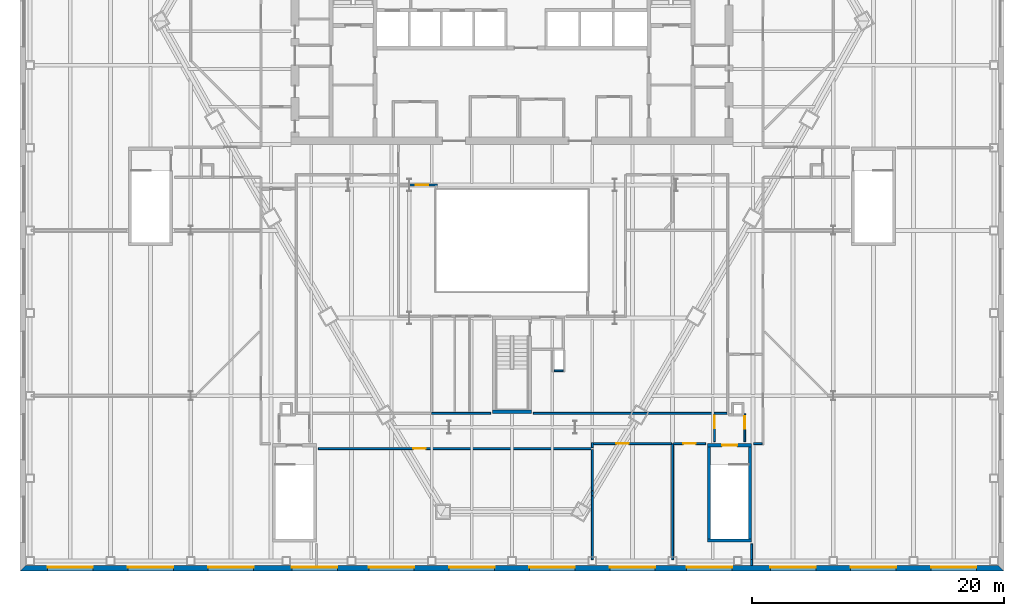
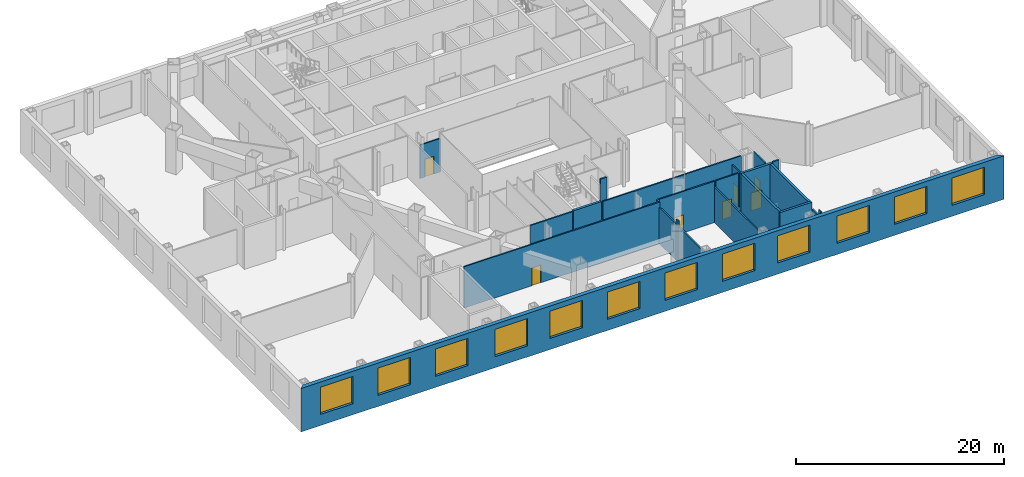
# One storey, part 9 of 17: 23 walls, 12 windows, 7 doors, 19 openings.
"""IFC4 building model written with IfcOpenShell, lengths in metres."""

from ifc_helpers import new_model, si_unit, direction, frame, frame_2d, origin, place, context, subcontext, project, spatial, polyline, rectangle, outline, extrude, material, layer, layer_set, type_object, element, fill, save


model = new_model("IFC4")

# Units and contexts
model_context = context("Model", 3, precision=1e-05, world=origin(), true_north=direction((0.0, 1.0)))
body_context = subcontext(model_context, "Body", "Model", "MODEL_VIEW")
ifc_project = project(units=[si_unit("LENGTHUNIT", "METRE"), si_unit("AREAUNIT", "SQUARE_METRE"), si_unit("VOLUMEUNIT", "CUBIC_METRE"), si_unit("PLANEANGLEUNIT", "RADIAN"), si_unit("MASSUNIT", "GRAM", prefix="KILO")], contexts=[model_context])

# Site, building, storey
site_placement = place(None, origin())
site = spatial("IfcSite", under=ifc_project, at=site_placement, CompositionType="ELEMENT")
building_placement = place(site_placement, origin())
building = spatial("IfcBuilding", under=site, at=building_placement, Name="Njiva Tower", CompositionType="ELEMENT")
storey_placement = place(building_placement, frame((0.0, 0.0, 23.7)))
storey = spatial("IfcBuildingStorey", under=building, at=storey_placement, Name="L04", CompositionType="ELEMENT", Elevation=23.7)

# Wall, opening, door
ifc_material_1 = material(Name="Gypsum board on steel studs", Category="gypsum")
ifc_layer_1 = layer(ifc_material_1, 0.15)
ifc_layer_set_1 = layer_set([ifc_layer_1], Name="Gypsum board on steel studs")
wall_type_1 = type_object("IfcWallType", Name="WT21 Compartment wall 150", PredefinedType="PARTITIONING", material=ifc_layer_set_1)
wall_1_placement = place(storey_placement, frame((-15.35, -24.1, 0.0), z_axis=(0.0, 0.0, 1.0), x_axis=(1.0, 0.0, 0.0)))
wall_1 = element("IfcWall", 1, at=wall_1_placement, inside=storey, type_object=wall_type_1, Name="Partition L04-P035", PredefinedType="PARTITIONING", context=body_context, shape_type="SweptSolid", body=[
    extrude(rectangle(XDim=21.717, YDim=0.15, at=frame_2d((10.8585, 0.0))), origin(), (0.0, 0.0, 1.0), 4.85),
])
opening_1_placement = place(wall_1_placement, frame((7.515, 0.0, 0.0)))
opening_1 = element("IfcOpeningElement", 2, at=opening_1_placement, cuts=wall_1, Name="Opening L04-D012", PredefinedType="OPENING", context=body_context, shape_type="SweptSolid", body=[
    extrude(rectangle(XDim=1.0, YDim=2.1, at=frame_2d((0.5, 1.05))), frame((0.0, 0.085, 0.0), z_axis=(0.0, -1.0, 0.0), x_axis=(1.0, 0.0, 0.0)), (0.0, 0.0, 1.0), 0.17),
])
ifc_material_2 = material(Name="Steel fire door set", Category="steel")
door_type_1 = type_object("IfcDoorType", Name="D37 Fire door 1000x2100", OperationType="SINGLE_SWING_LEFT", PredefinedType="DOOR", material=ifc_material_2)
door_1_placement = place(opening_1_placement, origin())
door_1 = element("IfcDoor", 3, at=door_1_placement, inside=storey, type_object=door_type_1, Name="Door L04-D012", OperationType="SINGLE_SWING_LEFT", OverallHeight=2.1, OverallWidth=1.0, PredefinedType="DOOR", context=body_context, shape_type="SweptSolid", body=[
    extrude(rectangle(XDim=1.0, YDim=2.1, at=frame_2d((0.5, 1.05))), frame((0.0, 0.025, 0.0), z_axis=(0.0, -1.0, 0.0), x_axis=(1.0, 0.0, 0.0)), (0.0, 0.0, 1.0), 0.05),
])
fill(opening_1, door_1)

wall_2_placement = place(storey_placement, frame((-8.15, -3.2, 0.0), z_axis=(0.0, 0.0, 1.0), x_axis=(1.0, 0.0, 0.0)))
wall_2 = element("IfcWall", 4, at=wall_2_placement, inside=storey, type_object=wall_type_1, Name="Partition L04-P039A", PredefinedType="PARTITIONING", context=body_context, shape_type="SweptSolid", body=[
    extrude(rectangle(XDim=2.225, YDim=0.15, at=frame_2d((1.1125, 0.0))), origin(), (0.0, 0.0, 1.0), 3.94),
])
opening_2_placement = place(wall_2_placement, frame((0.513, 0.0, 0.0)))
opening_2 = element("IfcOpeningElement", 5, at=opening_2_placement, cuts=wall_2, Name="Opening L04-D014", PredefinedType="OPENING", context=body_context, shape_type="SweptSolid", body=[
    extrude(rectangle(XDim=1.0, YDim=2.1, at=frame_2d((0.5, 1.05))), frame((0.0, 0.085, 0.0), z_axis=(0.0, -1.0, 0.0), x_axis=(1.0, 0.0, 0.0)), (0.0, 0.0, 1.0), 0.17),
])
door_2_placement = place(opening_2_placement, origin())
door_2 = element("IfcDoor", 6, at=door_2_placement, inside=storey, type_object=door_type_1, Name="Door L04-D014", OperationType="SINGLE_SWING_RIGHT", OverallHeight=2.1, OverallWidth=1.0, PredefinedType="DOOR", context=body_context, shape_type="SweptSolid", body=[
    extrude(rectangle(XDim=1.0, YDim=2.1, at=frame_2d((0.5, 1.05))), frame((0.0, 0.025, 0.0), z_axis=(0.0, -1.0, 0.0), x_axis=(1.0, 0.0, 0.0)), (0.0, 0.0, 1.0), 0.05),
])
fill(opening_2, door_2)

# Walls
wall_3_placement = place(storey_placement, frame((-6.367, -21.3, 0.0), z_axis=(0.0, 0.0, 1.0), x_axis=(1.0, 0.0, 0.0)))
element("IfcWall", 7, at=wall_3_placement, inside=storey, type_object=wall_type_1, Name="Partition L04-P040", PredefinedType="PARTITIONING", context=body_context, shape_type="SweptSolid", body=[
    extrude(rectangle(XDim=4.667, YDim=0.15, at=frame_2d((2.3335, 0.0))), origin(), (0.0, 0.0, 1.0), 4.85),
])
wall_4_placement = place(storey_placement, frame((1.7, -21.3, 0.0), z_axis=(0.0, 0.0, 1.0), x_axis=(1.0, 0.0, 0.0)))
element("IfcWall", 8, at=wall_4_placement, inside=storey, type_object=wall_type_1, Name="Partition L04-P047", PredefinedType="PARTITIONING", context=body_context, shape_type="SweptSolid", body=[
    extrude(rectangle(XDim=15.325, YDim=0.15, at=frame_2d((7.6625, 0.0))), origin(), (0.0, 0.0, 1.0), 4.85),
])
wall_5_placement = place(storey_placement, frame((6.366, -32.9, 0.0), z_axis=(0.0, 0.0, 1.0), x_axis=(0.000118156754, 0.999999993019, 0.0)))
element("IfcWall", 9, at=wall_5_placement, inside=storey, type_object=wall_type_1, Name="Partition L04-P050", PredefinedType="PARTITIONING", context=body_context, shape_type="SweptSolid", body=[
    extrude(rectangle(XDim=5.078, YDim=0.15, at=frame_2d((2.539, 0.0))), origin(), (0.0, 0.0, 1.0), 4.25),
])
wall_6_placement = place(storey_placement, frame((6.3666, -27.822, 0.0), z_axis=(0.0, 0.0, 1.0), x_axis=(0.0, 1.0, 0.0)))
element("IfcWall", 10, at=wall_6_placement, inside=storey, type_object=wall_type_1, Name="Partition L04-P050A", PredefinedType="PARTITIONING", context=body_context, shape_type="SweptSolid", body=[
    extrude(rectangle(XDim=0.381, YDim=0.15, at=frame_2d((0.1905, 0.0))), origin(), (0.0, 0.0, 1.0), 4.85),
])
wall_7_placement = place(storey_placement, frame((6.3666, -27.441, 0.0), z_axis=(0.0, 0.0, 1.0), x_axis=(0.000122473973, 0.9999999925, 0.0)))
element("IfcWall", 11, at=wall_7_placement, inside=storey, type_object=wall_type_1, Name="Partition L04-P050B", PredefinedType="PARTITIONING", context=body_context, shape_type="SweptSolid", body=[
    extrude(rectangle(XDim=3.266, YDim=0.15, at=frame_2d((1.633, 0.0))), origin(), (0.0, 0.0, 1.0), 4.25),
])
wall_8_placement = place(storey_placement, frame((6.367, -24.025, 0.0), z_axis=(0.0, 0.0, 1.0), x_axis=(0.0, 1.0, 0.0)))
element("IfcWall", 12, at=wall_8_placement, inside=storey, type_object=wall_type_1, Name="Partition L04-P051", PredefinedType="PARTITIONING", context=body_context, shape_type="SweptSolid", body=[
    extrude(rectangle(XDim=0.4, YDim=0.15, at=frame_2d((0.2, 0.0))), origin(), (0.0, 0.0, 1.0), 4.85),
])

# Wall, opening, door
wall_9_placement = place(storey_placement, frame((6.442, -23.7, 0.0), z_axis=(0.0, 0.0, 1.0), x_axis=(1.0, 0.0, 0.0)))
wall_9 = element("IfcWall", 13, at=wall_9_placement, inside=storey, type_object=wall_type_1, Name="Partition L04-P052", PredefinedType="PARTITIONING", context=body_context, shape_type="SweptSolid", body=[
    extrude(rectangle(XDim=6.216, YDim=0.15, at=frame_2d((3.108, 0.0))), origin(), (0.0, 0.0, 1.0), 4.85),
])
opening_3_placement = place(wall_9_placement, frame((1.805, 0.0, 0.0)))
opening_3 = element("IfcOpeningElement", 14, at=opening_3_placement, cuts=wall_9, Name="Opening L04-D019", PredefinedType="OPENING", context=body_context, shape_type="SweptSolid", body=[
    extrude(rectangle(XDim=1.0, YDim=2.1, at=frame_2d((0.5, 1.05))), frame((0.0, 0.085, 0.0), z_axis=(0.0, -1.0, 0.0), x_axis=(1.0, 0.0, 0.0)), (0.0, 0.0, 1.0), 0.17),
])
door_3_placement = place(opening_3_placement, origin())
door_3 = element("IfcDoor", 15, at=door_3_placement, inside=storey, type_object=door_type_1, Name="Door L04-D019", OperationType="SINGLE_SWING_LEFT", OverallHeight=2.1, OverallWidth=1.0, PredefinedType="DOOR", context=body_context, shape_type="SweptSolid", body=[
    extrude(rectangle(XDim=1.0, YDim=2.1, at=frame_2d((0.5, 1.05))), frame((0.0, 0.025, 0.0), z_axis=(0.0, -1.0, 0.0), x_axis=(1.0, 0.0, 0.0)), (0.0, 0.0, 1.0), 0.05),
])
fill(opening_3, door_3)

# Wall
wall_10_placement = place(storey_placement, frame((12.733, -32.9, 0.0), z_axis=(0.0, 0.0, 1.0), x_axis=(0.0, 1.0, 0.0)))
element("IfcWall", 16, at=wall_10_placement, inside=storey, type_object=wall_type_1, Name="Partition L04-P058", PredefinedType="PARTITIONING", context=body_context, shape_type="SweptSolid", body=[
    extrude(rectangle(XDim=9.2, YDim=0.15, at=frame_2d((4.6, 0.0))), origin(), (0.0, 0.0, 1.0), 4.16),
])

# Wall, opening, door
wall_11_placement = place(storey_placement, frame((12.808, -23.7, 0.0), z_axis=(0.0, 0.0, 1.0), x_axis=(1.0, 0.0, 0.0)))
wall_11 = element("IfcWall", 17, at=wall_11_placement, inside=storey, type_object=wall_type_1, Name="Partition L04-P060", PredefinedType="PARTITIONING", context=body_context, shape_type="SweptSolid", body=[
    extrude(rectangle(XDim=2.542, YDim=0.15, at=frame_2d((1.271, 0.0))), origin(), (0.0, 0.0, 1.0), 4.85),
])
opening_4_placement = place(wall_11_placement, frame((0.771, 0.0, 0.0)))
opening_4 = element("IfcOpeningElement", 18, at=opening_4_placement, cuts=wall_11, Name="Opening L04-D023", PredefinedType="OPENING", context=body_context, shape_type="SweptSolid", body=[
    extrude(rectangle(XDim=1.0, YDim=2.1, at=frame_2d((0.5, 1.05))), frame((0.0, 0.085, 0.0), z_axis=(0.0, -1.0, 0.0), x_axis=(1.0, 0.0, 0.0)), (0.0, 0.0, 1.0), 0.17),
])
door_4_placement = place(opening_4_placement, origin())
door_4 = element("IfcDoor", 19, at=door_4_placement, inside=storey, type_object=door_type_1, Name="Door L04-D023", OperationType="SINGLE_SWING_RIGHT", OverallHeight=2.1, OverallWidth=1.0, PredefinedType="DOOR", context=body_context, shape_type="SweptSolid", body=[
    extrude(rectangle(XDim=1.0, YDim=2.1, at=frame_2d((0.5, 1.05))), frame((0.0, 0.025, 0.0), z_axis=(0.0, -1.0, 0.0), x_axis=(1.0, 0.0, 0.0)), (0.0, 0.0, 1.0), 0.05),
])
fill(opening_4, door_4)

wall_12_placement = place(storey_placement, frame((16.05, -23.55, 0.0), z_axis=(0.0, 0.0, 1.0), x_axis=(0.0, 1.0, 0.0)))
wall_12 = element("IfcWall", 20, at=wall_12_placement, inside=storey, type_object=wall_type_1, Name="Partition L04-P061", PredefinedType="PARTITIONING", context=body_context, shape_type="SweptSolid", body=[
    extrude(rectangle(XDim=2.175, YDim=0.15, at=frame_2d((1.0875, 0.0))), origin(), (0.0, 0.0, 1.0), 4.16),
])
opening_5_placement = place(wall_12_placement, frame((1.063, 0.0, 0.0)))
opening_5 = element("IfcOpeningElement", 21, at=opening_5_placement, cuts=wall_12, Name="Opening L04-D024", PredefinedType="OPENING", context=body_context, shape_type="SweptSolid", body=[
    extrude(rectangle(XDim=1.0, YDim=2.1, at=frame_2d((0.5, 1.05))), frame((0.0, 0.085, 0.0), z_axis=(0.0, -1.0, 0.0), x_axis=(1.0, 0.0, 0.0)), (0.0, 0.0, 1.0), 0.17),
])
ifc_material_3 = material(Name="Glazed steel fire door", Category="steel")
door_type_2 = type_object("IfcDoorType", Name="D41 Glazed fire door 1000x2100", OperationType="SINGLE_SWING_LEFT", PredefinedType="DOOR", material=ifc_material_3)
door_5_placement = place(opening_5_placement, origin())
door_5 = element("IfcDoor", 22, at=door_5_placement, inside=storey, type_object=door_type_2, Name="Door L04-D024", OperationType="SINGLE_SWING_RIGHT", OverallHeight=2.1, OverallWidth=1.0, PredefinedType="DOOR", context=body_context, shape_type="SweptSolid", body=[
    extrude(rectangle(XDim=1.0, YDim=2.1, at=frame_2d((0.5, 1.05))), frame((0.0, 0.025, 0.0), z_axis=(0.0, -1.0, 0.0), x_axis=(1.0, 0.0, 0.0)), (0.0, 0.0, 1.0), 0.05),
])
fill(opening_5, door_5)

wall_13_placement = place(storey_placement, frame((18.45, -23.55, 0.0), z_axis=(0.0, 0.0, 1.0), x_axis=(0.0, 1.0, 0.0)))
wall_13 = element("IfcWall", 23, at=wall_13_placement, inside=storey, type_object=wall_type_1, Name="Partition L04-P071", PredefinedType="PARTITIONING", context=body_context, shape_type="SweptSolid", body=[
    extrude(rectangle(XDim=2.2, YDim=0.15, at=frame_2d((1.1, 0.0))), origin(), (0.0, 0.0, 1.0), 4.85),
])
opening_6_placement = place(wall_13_placement, frame((1.013, 0.0, 0.0)))
opening_6 = element("IfcOpeningElement", 24, at=opening_6_placement, cuts=wall_13, Name="Opening L04-D027", PredefinedType="OPENING", context=body_context, shape_type="SweptSolid", body=[
    extrude(rectangle(XDim=1.0, YDim=2.1, at=frame_2d((0.5, 1.05))), frame((0.0, 0.085, 0.0), z_axis=(0.0, -1.0, 0.0), x_axis=(1.0, 0.0, 0.0)), (0.0, 0.0, 1.0), 0.17),
])
door_6_placement = place(opening_6_placement, origin())
door_6 = element("IfcDoor", 25, at=door_6_placement, inside=storey, type_object=door_type_2, Name="Door L04-D027", OperationType="SINGLE_SWING_LEFT", OverallHeight=2.1, OverallWidth=1.0, PredefinedType="DOOR", context=body_context, shape_type="SweptSolid", body=[
    extrude(rectangle(XDim=1.0, YDim=2.1, at=frame_2d((0.5, 1.05))), frame((0.0, 0.025, 0.0), z_axis=(0.0, -1.0, 0.0), x_axis=(1.0, 0.0, 0.0)), (0.0, 0.0, 1.0), 0.05),
])
fill(opening_6, door_6)

# Walls
wall_14_placement = place(storey_placement, frame((19.0, -33.348, 0.0), z_axis=(0.0, 0.0, 1.0), x_axis=(0.0, 1.0, 0.0)))
element("IfcWall", 26, at=wall_14_placement, inside=storey, type_object=wall_type_1, Name="Partition L04-P072", PredefinedType="PARTITIONING", context=body_context, shape_type="SweptSolid", body=[
    extrude(rectangle(XDim=0.448, YDim=0.15, at=frame_2d((0.224, 0.0))), origin(), (0.0, 0.0, 1.0), 4.85),
])
wall_15_placement = place(storey_placement, frame((19.0, -32.9, 0.0), z_axis=(0.0, 0.0, 1.0), x_axis=(0.0, 1.0, 0.0)))
element("IfcWall", 27, at=wall_15_placement, inside=storey, type_object=wall_type_1, Name="Partition L04-P072A", PredefinedType="PARTITIONING", context=body_context, shape_type="SweptSolid", body=[
    extrude(rectangle(XDim=1.25, YDim=0.15, at=frame_2d((0.625, 0.0))), origin(), (0.0, 0.0, 1.0), 4.16),
])
wall_16_placement = place(storey_placement, frame((19.15, -23.7, 0.0), z_axis=(0.0, 0.0, 1.0), x_axis=(1.0, 0.0, 0.0)))
element("IfcWall", 28, at=wall_16_placement, inside=storey, type_object=wall_type_1, Name="Partition L04-P073", PredefinedType="PARTITIONING", context=body_context, shape_type="SweptSolid", body=[
    extrude(rectangle(XDim=0.675, YDim=0.15, at=frame_2d((0.3375, 0.0))), origin(), (0.0, 0.0, 1.0), 4.85),
])
ifc_material_4 = material(Name="Blockwork", Category="masonry")
ifc_layer_2 = layer(ifc_material_4, 0.15)
ifc_layer_set_2 = layer_set([ifc_layer_2], Name="Blockwork")
wall_type_2 = type_object("IfcWallType", Name="WT4 Stair partition 150", PredefinedType="PARTITIONING", material=ifc_layer_set_2)
wall_17_placement = place(storey_placement, frame((3.35, -17.925, 0.0), z_axis=(0.0, 0.0, 1.0), x_axis=(1.0, 0.0, 0.0)))
element("IfcWall", 29, at=wall_17_placement, inside=storey, type_object=wall_type_2, Name="Stair C pressurisation shaft wall", PredefinedType="PARTITIONING", context=body_context, shape_type="SweptSolid", body=[
    extrude(rectangle(XDim=0.7, YDim=0.15, at=frame_2d((0.35, 0.0))), origin(), (0.0, 0.0, 1.0), 4.85),
])
ifc_material_5 = material(Name="Concrete C40/50", Category="concrete")
ifc_layer_3 = layer(ifc_material_5, 0.25)
ifc_layer_set_3 = layer_set([ifc_layer_3], Name="Concrete C40/50")
wall_type_3 = type_object("IfcWallType", Name="WT9 Stair enclosure wall 250", PredefinedType="SHEAR", material=ifc_layer_set_3)
wall_18_placement = place(storey_placement, frame((-1.55, -21.175, 0.0), z_axis=(0.0, 0.0, 1.0), x_axis=(1.0, 0.0, 0.0)))
element("IfcWall", 30, at=wall_18_placement, inside=storey, type_object=wall_type_3, Name="Stair C wall south", PredefinedType="SHEAR", context=body_context, shape_type="SweptSolid", body=[
    extrude(rectangle(XDim=3.1, YDim=0.25, at=frame_2d((1.55, 0.0))), origin(), (0.0, 0.0, 1.0), 4.85),
])
for number, where, z_axis, x_axis, name in (
    (31, (15.625, -31.25, 0.0), (0.0, 0.0, 1.0), (0.0, 1.0, 0.0), "Stair E wall west"),
    (32, (18.875, -31.25, 0.0), (0.0, 0.0, 1.0), (0.0, 1.0, 0.0), "Stair E wall east"),
):
    element("IfcWall", number, at=place(storey_placement, frame(where, z_axis=z_axis, x_axis=x_axis)), inside=storey, type_object=wall_type_3, Name=name, PredefinedType="SHEAR", context=body_context, shape_type="SweptSolid", body=[
        extrude(rectangle(XDim=7.3, YDim=0.25, at=frame_2d((3.65, 0.0))), origin(), (0.0, 0.0, 1.0), 4.85),
    ])
wall_19_placement = place(storey_placement, frame((15.5, -31.375, 0.0), z_axis=(0.0, 0.0, 1.0), x_axis=(1.0, 0.0, 0.0)))
element("IfcWall", 33, at=wall_19_placement, inside=storey, type_object=wall_type_3, Name="Stair E wall south", PredefinedType="SHEAR", context=body_context, shape_type="SweptSolid", body=[
    extrude(rectangle(XDim=3.5, YDim=0.25, at=frame_2d((1.75, 0.0))), origin(), (0.0, 0.0, 1.0), 4.85),
])

# Wall, opening, door
wall_20_placement = place(storey_placement, frame((15.5, -23.825, 0.0), z_axis=(0.0, 0.0, 1.0), x_axis=(1.0, 0.0, 0.0)))
wall_20 = element("IfcWall", 34, at=wall_20_placement, inside=storey, type_object=wall_type_3, Name="Stair E wall north", PredefinedType="SHEAR", context=body_context, shape_type="SweptSolid", body=[
    extrude(rectangle(XDim=3.5, YDim=0.25, at=frame_2d((1.75, 0.0))), origin(), (0.0, 0.0, 1.0), 4.85),
])
opening_7_placement = place(wall_20_placement, frame((1.15, 0.0, 0.0)))
opening_7 = element("IfcOpeningElement", 35, at=opening_7_placement, cuts=wall_20, Name="Opening L04-D942", PredefinedType="OPENING", context=body_context, shape_type="SweptSolid", body=[
    extrude(rectangle(XDim=1.2, YDim=2.1, at=frame_2d((0.6, 1.05))), frame((0.0, 0.135, 0.0), z_axis=(0.0, -1.0, 0.0), x_axis=(1.0, 0.0, 0.0)), (0.0, 0.0, 1.0), 0.27),
])
ifc_material_6 = material(Name="Steel door, painted", Category="steel")
door_type_3 = type_object("IfcDoorType", Name="D1 Stair door 1200x2100", OperationType="SINGLE_SWING_LEFT", PredefinedType="DOOR", material=ifc_material_6)
door_7_placement = place(opening_7_placement, origin())
door_7 = element("IfcDoor", 36, at=door_7_placement, inside=storey, type_object=door_type_3, Name="Stair E door", OperationType="SINGLE_SWING_LEFT", OverallHeight=2.1, OverallWidth=1.2, PredefinedType="DOOR", context=body_context, shape_type="SweptSolid", body=[
    extrude(rectangle(XDim=1.2, YDim=2.1, at=frame_2d((0.6, 1.05))), frame((0.0, 0.025, 0.0), z_axis=(0.0, -1.0, 0.0), x_axis=(1.0, 0.0, 0.0)), (0.0, 0.0, 1.0), 0.05),
])
fill(opening_7, door_7)

# Wall, openings, windows
ifc_material_7 = material(Name="Brick masonry", Category="masonry")
ifc_layer_4 = layer(ifc_material_7, 0.45)
ifc_layer_set_4 = layer_set([ifc_layer_4], Name="Brick masonry")
wall_type_4 = type_object("IfcWallType", Name="WT90 Brick pier and spandrel wall 450", PredefinedType="SOLIDWALL", material=ifc_layer_set_4)
wall_21_placement = place(storey_placement, frame((-38.775, -33.575, -0.4), z_axis=(0.0, 0.0, 1.0), x_axis=(1.0, 0.0, 0.0)))
wall_21 = element("IfcWall", 37, at=wall_21_placement, inside=storey, type_object=wall_type_4, Name="Podium wall S", PredefinedType="SOLIDWALL", context=body_context, shape_type="SweptSolid", body=[
    extrude(outline(polyline([(-0.225, -0.225), (77.775, -0.225), (77.325, 0.225), (0.225, 0.225), (-0.225, -0.225)])), origin(), (0.0, 0.0, 1.0), 5.1),
])
opening_8_placement = place(wall_21_placement, frame((1.9584, 0.0, 1.3)))
opening_8 = element("IfcOpeningElement", 38, at=opening_8_placement, cuts=wall_21, Name="Opening L04-W25", PredefinedType="OPENING", context=body_context, shape_type="SweptSolid", body=[
    extrude(rectangle(XDim=3.6, YDim=3.2, at=frame_2d((1.8, 1.6))), frame((0.0, 0.235, 0.0), z_axis=(0.0, -1.0, 0.0), x_axis=(1.0, 0.0, 0.0)), (0.0, 0.0, 1.0), 0.47),
])
opening_9_placement = place(wall_21_placement, frame((8.325, 0.0, 1.3)))
opening_9 = element("IfcOpeningElement", 39, at=opening_9_placement, cuts=wall_21, Name="Opening L04-W26", PredefinedType="OPENING", context=body_context, shape_type="SweptSolid", body=[
    extrude(rectangle(XDim=3.6, YDim=3.2, at=frame_2d((1.8, 1.6))), frame((0.0, 0.235, 0.0), z_axis=(0.0, -1.0, 0.0), x_axis=(1.0, 0.0, 0.0)), (0.0, 0.0, 1.0), 0.47),
])
opening_10_placement = place(wall_21_placement, frame((14.6916, 0.0, 1.3)))
opening_10 = element("IfcOpeningElement", 40, at=opening_10_placement, cuts=wall_21, Name="Opening L04-W27", PredefinedType="OPENING", context=body_context, shape_type="SweptSolid", body=[
    extrude(rectangle(XDim=3.6, YDim=3.2, at=frame_2d((1.8, 1.6))), frame((0.0, 0.235, 0.0), z_axis=(0.0, -1.0, 0.0), x_axis=(1.0, 0.0, 0.0)), (0.0, 0.0, 1.0), 0.47),
])
opening_11_placement = place(wall_21_placement, frame((21.325, 0.0, 1.3)))
opening_11 = element("IfcOpeningElement", 41, at=opening_11_placement, cuts=wall_21, Name="Opening L04-W28", PredefinedType="OPENING", context=body_context, shape_type="SweptSolid", body=[
    extrude(rectangle(XDim=3.6, YDim=3.2, at=frame_2d((1.8, 1.6))), frame((0.0, 0.235, 0.0), z_axis=(0.0, -1.0, 0.0), x_axis=(1.0, 0.0, 0.0)), (0.0, 0.0, 1.0), 0.47),
])
opening_12_placement = place(wall_21_placement, frame((27.425, 0.0, 1.3)))
opening_12 = element("IfcOpeningElement", 42, at=opening_12_placement, cuts=wall_21, Name="Opening L04-W29", PredefinedType="OPENING", context=body_context, shape_type="SweptSolid", body=[
    extrude(rectangle(XDim=3.6, YDim=3.2, at=frame_2d((1.8, 1.6))), frame((0.0, 0.235, 0.0), z_axis=(0.0, -1.0, 0.0), x_axis=(1.0, 0.0, 0.0)), (0.0, 0.0, 1.0), 0.47),
])
opening_13_placement = place(wall_21_placement, frame((33.7916, 0.0, 1.3)))
opening_13 = element("IfcOpeningElement", 43, at=opening_13_placement, cuts=wall_21, Name="Opening L04-W30", PredefinedType="OPENING", context=body_context, shape_type="SweptSolid", body=[
    extrude(rectangle(XDim=3.6, YDim=3.2, at=frame_2d((1.8, 1.6))), frame((0.0, 0.235, 0.0), z_axis=(0.0, -1.0, 0.0), x_axis=(1.0, 0.0, 0.0)), (0.0, 0.0, 1.0), 0.47),
])
opening_14_placement = place(wall_21_placement, frame((40.1584, 0.0, 1.3)))
opening_14 = element("IfcOpeningElement", 44, at=opening_14_placement, cuts=wall_21, Name="Opening L04-W31", PredefinedType="OPENING", context=body_context, shape_type="SweptSolid", body=[
    extrude(rectangle(XDim=3.6, YDim=3.2, at=frame_2d((1.8, 1.6))), frame((0.0, 0.235, 0.0), z_axis=(0.0, -1.0, 0.0), x_axis=(1.0, 0.0, 0.0)), (0.0, 0.0, 1.0), 0.47),
])
opening_15_placement = place(wall_21_placement, frame((46.525, 0.0, 1.3)))
opening_15 = element("IfcOpeningElement", 45, at=opening_15_placement, cuts=wall_21, Name="Opening L04-W32", PredefinedType="OPENING", context=body_context, shape_type="SweptSolid", body=[
    extrude(rectangle(XDim=3.6, YDim=3.2, at=frame_2d((1.8, 1.6))), frame((0.0, 0.235, 0.0), z_axis=(0.0, -1.0, 0.0), x_axis=(1.0, 0.0, 0.0)), (0.0, 0.0, 1.0), 0.47),
])
opening_16_placement = place(wall_21_placement, frame((52.625, 0.0, 1.3)))
opening_16 = element("IfcOpeningElement", 46, at=opening_16_placement, cuts=wall_21, Name="Opening L04-W33", PredefinedType="OPENING", context=body_context, shape_type="SweptSolid", body=[
    extrude(rectangle(XDim=3.6, YDim=3.2, at=frame_2d((1.8, 1.6))), frame((0.0, 0.235, 0.0), z_axis=(0.0, -1.0, 0.0), x_axis=(1.0, 0.0, 0.0)), (0.0, 0.0, 1.0), 0.47),
])
opening_17_placement = place(wall_21_placement, frame((59.2584, 0.0, 1.3)))
opening_17 = element("IfcOpeningElement", 47, at=opening_17_placement, cuts=wall_21, Name="Opening L04-W34", PredefinedType="OPENING", context=body_context, shape_type="SweptSolid", body=[
    extrude(rectangle(XDim=3.6, YDim=3.2, at=frame_2d((1.8, 1.6))), frame((0.0, 0.235, 0.0), z_axis=(0.0, -1.0, 0.0), x_axis=(1.0, 0.0, 0.0)), (0.0, 0.0, 1.0), 0.47),
])
opening_18_placement = place(wall_21_placement, frame((65.625, 0.0, 1.3)))
opening_18 = element("IfcOpeningElement", 48, at=opening_18_placement, cuts=wall_21, Name="Opening L04-W35", PredefinedType="OPENING", context=body_context, shape_type="SweptSolid", body=[
    extrude(rectangle(XDim=3.6, YDim=3.2, at=frame_2d((1.8, 1.6))), frame((0.0, 0.235, 0.0), z_axis=(0.0, -1.0, 0.0), x_axis=(1.0, 0.0, 0.0)), (0.0, 0.0, 1.0), 0.47),
])
opening_19_placement = place(wall_21_placement, frame((71.9917, 0.0, 1.3)))
opening_19 = element("IfcOpeningElement", 49, at=opening_19_placement, cuts=wall_21, Name="Opening L04-W36", PredefinedType="OPENING", context=body_context, shape_type="SweptSolid", body=[
    extrude(rectangle(XDim=3.6, YDim=3.2, at=frame_2d((1.8, 1.6))), frame((0.0, 0.235, 0.0), z_axis=(0.0, -1.0, 0.0), x_axis=(1.0, 0.0, 0.0)), (0.0, 0.0, 1.0), 0.47),
])
ifc_material_8 = material(Name="Clear glazing in aluminium frame", Category="aluminium")
window_type = type_object("IfcWindowType", Name="W98 Deep-set window 3600x3200", PartitioningType="SINGLE_PANEL", PredefinedType="WINDOW", material=ifc_material_8)
window_1_placement = place(opening_8_placement, origin())
window_1 = element("IfcWindow", 50, at=window_1_placement, inside=storey, type_object=window_type, Name="Window", OverallHeight=3.2, OverallWidth=3.6, PartitioningType="SINGLE_PANEL", PredefinedType="WINDOW", context=body_context, shape_type="SweptSolid", body=[
    extrude(rectangle(XDim=3.6, YDim=3.2, at=frame_2d((1.8, 1.6))), frame((0.0, 0.105, 0.0), z_axis=(0.0, -1.0, 0.0), x_axis=(1.0, 0.0, 0.0)), (0.0, 0.0, 1.0), 0.06),
])
fill(opening_8, window_1)
window_2_placement = place(opening_9_placement, origin())
window_2 = element("IfcWindow", 51, at=window_2_placement, inside=storey, type_object=window_type, Name="Window", OverallHeight=3.2, OverallWidth=3.6, PartitioningType="SINGLE_PANEL", PredefinedType="WINDOW", context=body_context, shape_type="SweptSolid", body=[
    extrude(rectangle(XDim=3.6, YDim=3.2, at=frame_2d((1.8, 1.6))), frame((0.0, 0.105, 0.0), z_axis=(0.0, -1.0, 0.0), x_axis=(1.0, 0.0, 0.0)), (0.0, 0.0, 1.0), 0.06),
])
fill(opening_9, window_2)
window_3_placement = place(opening_10_placement, origin())
window_3 = element("IfcWindow", 52, at=window_3_placement, inside=storey, type_object=window_type, Name="Window", OverallHeight=3.2, OverallWidth=3.6, PartitioningType="SINGLE_PANEL", PredefinedType="WINDOW", context=body_context, shape_type="SweptSolid", body=[
    extrude(rectangle(XDim=3.6, YDim=3.2, at=frame_2d((1.8, 1.6))), frame((0.0, 0.105, 0.0), z_axis=(0.0, -1.0, 0.0), x_axis=(1.0, 0.0, 0.0)), (0.0, 0.0, 1.0), 0.06),
])
fill(opening_10, window_3)
window_4_placement = place(opening_11_placement, origin())
window_4 = element("IfcWindow", 53, at=window_4_placement, inside=storey, type_object=window_type, Name="Window", OverallHeight=3.2, OverallWidth=3.6, PartitioningType="SINGLE_PANEL", PredefinedType="WINDOW", context=body_context, shape_type="SweptSolid", body=[
    extrude(rectangle(XDim=3.6, YDim=3.2, at=frame_2d((1.8, 1.6))), frame((0.0, 0.105, 0.0), z_axis=(0.0, -1.0, 0.0), x_axis=(1.0, 0.0, 0.0)), (0.0, 0.0, 1.0), 0.06),
])
fill(opening_11, window_4)
window_5_placement = place(opening_12_placement, origin())
window_5 = element("IfcWindow", 54, at=window_5_placement, inside=storey, type_object=window_type, Name="Window", OverallHeight=3.2, OverallWidth=3.6, PartitioningType="SINGLE_PANEL", PredefinedType="WINDOW", context=body_context, shape_type="SweptSolid", body=[
    extrude(rectangle(XDim=3.6, YDim=3.2, at=frame_2d((1.8, 1.6))), frame((0.0, 0.105, 0.0), z_axis=(0.0, -1.0, 0.0), x_axis=(1.0, 0.0, 0.0)), (0.0, 0.0, 1.0), 0.06),
])
fill(opening_12, window_5)
window_6_placement = place(opening_13_placement, origin())
window_6 = element("IfcWindow", 55, at=window_6_placement, inside=storey, type_object=window_type, Name="Window", OverallHeight=3.2, OverallWidth=3.6, PartitioningType="SINGLE_PANEL", PredefinedType="WINDOW", context=body_context, shape_type="SweptSolid", body=[
    extrude(rectangle(XDim=3.6, YDim=3.2, at=frame_2d((1.8, 1.6))), frame((0.0, 0.105, 0.0), z_axis=(0.0, -1.0, 0.0), x_axis=(1.0, 0.0, 0.0)), (0.0, 0.0, 1.0), 0.06),
])
fill(opening_13, window_6)
window_7_placement = place(opening_14_placement, origin())
window_7 = element("IfcWindow", 56, at=window_7_placement, inside=storey, type_object=window_type, Name="Window", OverallHeight=3.2, OverallWidth=3.6, PartitioningType="SINGLE_PANEL", PredefinedType="WINDOW", context=body_context, shape_type="SweptSolid", body=[
    extrude(rectangle(XDim=3.6, YDim=3.2, at=frame_2d((1.8, 1.6))), frame((0.0, 0.105, 0.0), z_axis=(0.0, -1.0, 0.0), x_axis=(1.0, 0.0, 0.0)), (0.0, 0.0, 1.0), 0.06),
])
fill(opening_14, window_7)
window_8_placement = place(opening_15_placement, origin())
window_8 = element("IfcWindow", 57, at=window_8_placement, inside=storey, type_object=window_type, Name="Window", OverallHeight=3.2, OverallWidth=3.6, PartitioningType="SINGLE_PANEL", PredefinedType="WINDOW", context=body_context, shape_type="SweptSolid", body=[
    extrude(rectangle(XDim=3.6, YDim=3.2, at=frame_2d((1.8, 1.6))), frame((0.0, 0.105, 0.0), z_axis=(0.0, -1.0, 0.0), x_axis=(1.0, 0.0, 0.0)), (0.0, 0.0, 1.0), 0.06),
])
fill(opening_15, window_8)
window_9_placement = place(opening_16_placement, origin())
window_9 = element("IfcWindow", 58, at=window_9_placement, inside=storey, type_object=window_type, Name="Window", OverallHeight=3.2, OverallWidth=3.6, PartitioningType="SINGLE_PANEL", PredefinedType="WINDOW", context=body_context, shape_type="SweptSolid", body=[
    extrude(rectangle(XDim=3.6, YDim=3.2, at=frame_2d((1.8, 1.6))), frame((0.0, 0.105, 0.0), z_axis=(0.0, -1.0, 0.0), x_axis=(1.0, 0.0, 0.0)), (0.0, 0.0, 1.0), 0.06),
])
fill(opening_16, window_9)
window_10_placement = place(opening_17_placement, origin())
window_10 = element("IfcWindow", 59, at=window_10_placement, inside=storey, type_object=window_type, Name="Window", OverallHeight=3.2, OverallWidth=3.6, PartitioningType="SINGLE_PANEL", PredefinedType="WINDOW", context=body_context, shape_type="SweptSolid", body=[
    extrude(rectangle(XDim=3.6, YDim=3.2, at=frame_2d((1.8, 1.6))), frame((0.0, 0.105, 0.0), z_axis=(0.0, -1.0, 0.0), x_axis=(1.0, 0.0, 0.0)), (0.0, 0.0, 1.0), 0.06),
])
fill(opening_17, window_10)
window_11_placement = place(opening_18_placement, origin())
window_11 = element("IfcWindow", 60, at=window_11_placement, inside=storey, type_object=window_type, Name="Window", OverallHeight=3.2, OverallWidth=3.6, PartitioningType="SINGLE_PANEL", PredefinedType="WINDOW", context=body_context, shape_type="SweptSolid", body=[
    extrude(rectangle(XDim=3.6, YDim=3.2, at=frame_2d((1.8, 1.6))), frame((0.0, 0.105, 0.0), z_axis=(0.0, -1.0, 0.0), x_axis=(1.0, 0.0, 0.0)), (0.0, 0.0, 1.0), 0.06),
])
fill(opening_18, window_11)
window_12_placement = place(opening_19_placement, origin())
window_12 = element("IfcWindow", 61, at=window_12_placement, inside=storey, type_object=window_type, Name="Window", OverallHeight=3.2, OverallWidth=3.6, PartitioningType="SINGLE_PANEL", PredefinedType="WINDOW", context=body_context, shape_type="SweptSolid", body=[
    extrude(rectangle(XDim=3.6, YDim=3.2, at=frame_2d((1.8, 1.6))), frame((0.0, 0.105, 0.0), z_axis=(0.0, -1.0, 0.0), x_axis=(1.0, 0.0, 0.0)), (0.0, 0.0, 1.0), 0.06),
])
fill(opening_19, window_12)

save(model, "model.ifc")
